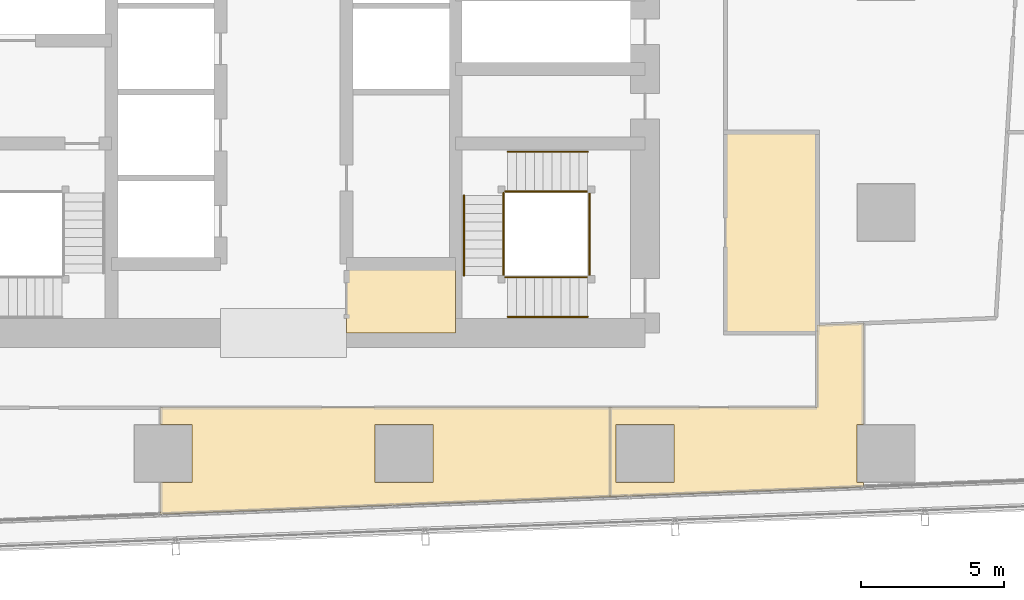
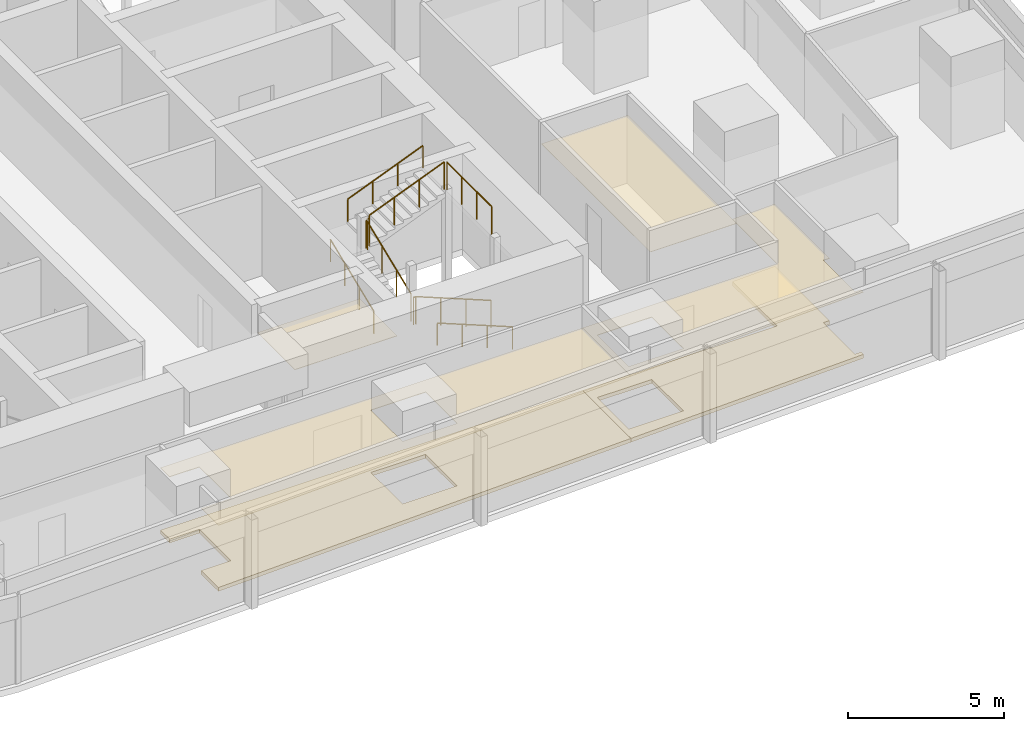
# One storey, part 36 of 39: 10 railings, 6 coverings.
"""IFC4 building model written with IfcOpenShell, lengths in metres."""

from ifc_helpers import new_model, si_unit, direction, frame, origin, origin_2d, place, context, subcontext, project, spatial, polyline, circle, outline, extrude, material, layer, layer_set, type_object, element, save


model = new_model("IFC4")

# Units and contexts
model_context = context("Model", 3, precision=1e-05, world=origin(), true_north=direction((0.0, 1.0)))
body_context = subcontext(model_context, "Body", "Model", "MODEL_VIEW")
ifc_project = project(units=[si_unit("LENGTHUNIT", "METRE"), si_unit("AREAUNIT", "SQUARE_METRE"), si_unit("VOLUMEUNIT", "CUBIC_METRE"), si_unit("PLANEANGLEUNIT", "RADIAN"), si_unit("MASSUNIT", "GRAM", prefix="KILO")], contexts=[model_context])

# Site, building, storey
site_placement = place(None, origin())
site = spatial("IfcSite", under=ifc_project, at=site_placement, CompositionType="ELEMENT")
building_placement = place(site_placement, origin())
building = spatial("IfcBuilding", under=site, at=building_placement, Name="Rekha Terrace Tower", CompositionType="ELEMENT")
storey_placement = place(building_placement, frame((0.0, 0.0, 147.800048828125)))
storey = spatial("IfcBuildingStorey", under=building, at=storey_placement, Name="L37", CompositionType="ELEMENT", Elevation=147.800048828125)

# Coverings
ifc_material_1 = material(Name="Mineral fibre tile in exposed grid", Category="finish")
ifc_layer_1 = layer(ifc_material_1, 0.02001953125)
ifc_layer_set_1 = layer_set([ifc_layer_1], Name="Mineral fibre tile in exposed grid")
covering_type_1 = type_object("IfcCoveringType", Name="CL1 600x1200 office grid ceiling", PredefinedType="CEILING", material=ifc_layer_set_1)
covering_1_placement = place(storey_placement, frame((0.0, 0.0, 2.579833984375)))
element("IfcCovering", 1, at=covering_1_placement, inside=storey, type_object=covering_type_1, Name="Ceiling L37-02", PredefinedType="CEILING", context=body_context, shape_type="SweptSolid", body=[
    extrude(outline(polyline([(58.010009765625, 17.81494140625), (58.010009765625, 21.3369140625), (56.39990234375, 21.27490234375), (56.39990234375, 18.39990234375), (49.179931640625, 18.39990234375), (49.179931640625, 15.2900390625), (58.010009765625, 15.633056640625), (58.010009765625, 15.784912109375), (57.784912109375, 15.784912109375), (57.784912109375, 17.81494140625), (58.010009765625, 17.81494140625)]), holes=[polyline([(51.4150390625, 15.784912109375), (49.385009765625, 15.784912109375), (49.385009765625, 17.81494140625), (51.4150390625, 17.81494140625), (51.4150390625, 15.784912109375)])]), origin(), (0.0, 0.0, 1.0), 0.02001953125),
])
covering_2_placement = place(storey_placement, frame((0.0, 0.0, 2.579833984375)))
element("IfcCovering", 2, at=covering_2_placement, inside=storey, type_object=covering_type_1, Name="Ceiling L37-20", PredefinedType="CEILING", context=body_context, shape_type="SweptSolid", body=[
    extrude(outline(polyline([(33.512939453125, 14.679931640625), (41.678955078125, 14.998046875), (49.178955078125, 15.2890625), (49.178955078125, 18.39990234375), (33.512939453125, 18.39990234375), (33.512939453125, 17.81494140625), (34.614990234375, 17.81494140625), (34.614990234375, 15.784912109375), (33.512939453125, 15.784912109375), (33.512939453125, 14.679931640625)]), holes=[polyline([(43.014892578125, 17.81494140625), (43.014892578125, 15.784912109375), (40.985107421875, 15.784912109375), (40.985107421875, 17.81494140625), (43.014892578125, 17.81494140625)])]), origin(), (0.0, 0.0, 1.0), 0.02001953125),
])
ifc_material_2 = material(Name="Fibre cement board", Category="finish")
ifc_layer_2 = layer(ifc_material_2, 0.014892578125)
ifc_layer_set_2 = layer_set([ifc_layer_2], Name="Fibre cement board")
covering_type_2 = type_object("IfcCoveringType", Name="CL2 moisture-resistant board ceiling", PredefinedType="CEILING", material=ifc_layer_set_2)
covering_3_placement = place(storey_placement, frame((0.0, 0.0, 2.5849609375)))
element("IfcCovering", 3, at=covering_3_placement, inside=storey, type_object=covering_type_2, Name="Ceiling L37-WCA", PredefinedType="CEILING", context=body_context, shape_type="SweptSolid", body=[
    extrude(outline(polyline([(43.800048828125, 23.39990234375), (40.0, 23.39990234375), (40.0, 21.0), (43.800048828125, 21.0), (43.800048828125, 23.39990234375)])), origin(), (0.0, 0.0, 1.0), 0.014892578125),
])
covering_4_placement = place(storey_placement, frame((0.0, 0.0, 2.5849609375)))
element("IfcCovering", 4, at=covering_4_placement, inside=storey, type_object=covering_type_2, Name="Ceiling L37-WCM2", PredefinedType="CEILING", context=body_context, shape_type="SweptSolid", body=[
    extrude(outline(polyline([(56.39990234375, 28.0), (53.199951171875, 28.0), (53.199951171875, 21.0), (56.39990234375, 21.0), (56.39990234375, 28.0)])), origin(), (0.0, 0.0, 1.0), 0.014892578125),
])

# Railings
ifc_material_3 = material(Name="Stainless steel balustrade", Category="steel")
railing_type_1 = type_object("IfcRailingType", Name="GR1 1100 stair guard", PredefinedType="GUARDRAIL", material=ifc_material_3)
railing_1_placement = place(storey_placement, frame((48.39990234375, 22.93994140625, 0.125)))
element("IfcRailing", 5, at=railing_1_placement, inside=storey, type_object=railing_type_1, Name="Guard ST3 L37 flight 1", PredefinedType="GUARDRAIL", context=body_context, shape_type="SweptSolid", body=[
    extrude(circle(Radius=0.02392578125, at=origin_2d()), frame((0.0, 0.0, 1.076171875), z_axis=(-0.927431937212, 0.0, 0.373991980981), x_axis=(0.0, -1.0, 0.0)), (0.0, 0.0, 1.0), 3.008056640625),
    extrude(circle(Radius=0.02099609375, at=origin_2d()), origin(), (0.0, 0.0, 1.0), 1.052001953125),
    extrude(circle(Radius=0.02099609375, at=origin_2d()), frame((-0.929931640625, 0.0, 0.375)), (0.0, 0.0, 1.0), 1.052001953125),
    extrude(circle(Radius=0.02099609375, at=origin_2d()), frame((-1.85986328125, 0.0, 0.75)), (0.0, 0.0, 1.0), 1.052001953125),
    extrude(circle(Radius=0.02099609375, at=origin_2d()), frame((-2.789794921875, 0.0, 1.125)), (0.0, 0.0, 1.0), 1.052001953125),
])
railing_2_placement = place(storey_placement, frame((45.465087890625, 23.0, 1.375)))
element("IfcRailing", 6, at=railing_2_placement, inside=storey, type_object=railing_type_1, Name="Guard ST3 L37 flight 2", PredefinedType="GUARDRAIL", context=body_context, shape_type="SweptSolid", body=[
    extrude(circle(Radius=0.02392578125, at=origin_2d()), frame((0.0, 0.0, 1.076171875), z_axis=(0.0, 0.927443287984, 0.373963831907), x_axis=(-1.0, 0.0, 0.0)), (0.0, 0.0, 1.0), 3.00830078125),
    extrude(circle(Radius=0.02099609375, at=origin_2d()), origin(), (0.0, 0.0, 1.0), 1.052001953125),
    extrude(circle(Radius=0.02099609375, at=origin_2d()), frame((0.0, 0.929931640625, 0.375)), (0.0, 0.0, 1.0), 1.052001953125),
    extrude(circle(Radius=0.02099609375, at=origin_2d()), frame((0.0, 1.860107421875, 0.75)), (0.0, 0.0, 1.0), 1.052001953125),
    extrude(circle(Radius=0.02099609375, at=origin_2d()), frame((0.0, 2.7900390625, 1.125)), (0.0, 0.0, 1.0), 1.052001953125),
])
railing_3_placement = place(storey_placement, frame((45.610107421875, 25.93505859375, 2.625)))
element("IfcRailing", 7, at=railing_3_placement, inside=storey, type_object=railing_type_1, Name="Guard ST3 L37 flight 3", PredefinedType="GUARDRAIL", context=body_context, shape_type="SweptSolid", body=[
    extrude(circle(Radius=0.02392578125, at=origin_2d()), frame((0.0, 0.0, 1.076171875), z_axis=(0.927431937212, 0.0, 0.373991980981), x_axis=(0.0, 1.0, 0.0)), (0.0, 0.0, 1.0), 3.008056640625),
    extrude(circle(Radius=0.02099609375, at=origin_2d()), origin(), (0.0, 0.0, 1.0), 1.052001953125),
    extrude(circle(Radius=0.02099609375, at=origin_2d()), frame((0.929931640625, 0.0, 0.375)), (0.0, 0.0, 1.0), 1.052001953125),
    extrude(circle(Radius=0.02099609375, at=origin_2d()), frame((1.85986328125, 0.0, 0.75)), (0.0, 0.0, 1.0), 1.052001953125),
    extrude(circle(Radius=0.02099609375, at=origin_2d()), frame((2.789794921875, 0.0, 1.125)), (0.0, 0.0, 1.0), 1.052001953125),
])
railing_4_placement = place(storey_placement, frame((45.610107421875, 22.93994140625, 1.25)))
element("IfcRailing", 8, at=railing_4_placement, inside=storey, type_object=railing_type_1, Name="Guard ST3 L37 landing 1", PredefinedType="GUARDRAIL", context=body_context, shape_type="SweptSolid", body=[
    extrude(circle(Radius=0.02392578125, at=origin_2d()), frame((0.0, 0.0, 1.076171875), z_axis=(-1.0, 0.0, 0.0), x_axis=(0.0, -1.0, 0.0)), (0.0, 0.0, 1.0), 0.085205078125),
    extrude(circle(Radius=0.02099609375, at=origin_2d()), origin(), (0.0, 0.0, 1.0), 1.052001953125),
    extrude(circle(Radius=0.02099609375, at=origin_2d()), frame((-0.085205078125, 0.0, 0.0)), (0.0, 0.0, 1.0), 1.052001953125),
])
railing_5_placement = place(storey_placement, frame((45.465087890625, 25.7900390625, 2.5)))
element("IfcRailing", 9, at=railing_5_placement, inside=storey, type_object=railing_type_1, Name="Guard ST3 L37 landing 2", PredefinedType="GUARDRAIL", context=body_context, shape_type="SweptSolid", body=[
    extrude(circle(Radius=0.02392578125, at=origin_2d()), frame((0.0, 0.0, 1.076171875), z_axis=(0.0, 1.0, 0.0), x_axis=(-1.0, 0.0, 0.0)), (0.0, 0.0, 1.0), 0.0849609375),
    extrude(circle(Radius=0.02099609375, at=origin_2d()), origin(), (0.0, 0.0, 1.0), 1.052001953125),
    extrude(circle(Radius=0.02099609375, at=origin_2d()), frame((0.0, 0.0849609375, 0.0)), (0.0, 0.0, 1.0), 1.052001953125),
])
railing_6_placement = place(storey_placement, frame((45.610107421875, 25.93505859375, 2.5)))
element("IfcRailing", 10, at=railing_6_placement, inside=storey, type_object=railing_type_1, Name="Guard ST3 L37 landing 3", PredefinedType="GUARDRAIL", context=body_context, shape_type="SweptSolid", body=[
    extrude(circle(Radius=0.02392578125, at=origin_2d()), frame((0.0, 0.0, 1.076171875), z_axis=(-1.0, 0.0, 0.0), x_axis=(0.0, -1.0, 0.0)), (0.0, 0.0, 1.0), 0.085205078125),
    extrude(circle(Radius=0.02099609375, at=origin_2d()), origin(), (0.0, 0.0, 1.0), 1.052001953125),
    extrude(circle(Radius=0.02099609375, at=origin_2d()), frame((-0.085205078125, 0.0, 0.0)), (0.0, 0.0, 1.0), 1.052001953125),
])
railing_7_placement = place(storey_placement, frame((48.4599609375, 23.0, 3.75)))
element("IfcRailing", 11, at=railing_7_placement, inside=storey, type_object=railing_type_1, Name="Guard ST3 L37 landing 4", PredefinedType="GUARDRAIL", context=body_context, shape_type="SweptSolid", body=[
    extrude(circle(Radius=0.02392578125, at=origin_2d()), frame((0.0, 0.0, 1.076171875), z_axis=(0.0, 1.0, 0.0), x_axis=(-1.0, 0.0, 0.0)), (0.0, 0.0, 1.0), 2.875),
    extrude(circle(Radius=0.02099609375, at=origin_2d()), origin(), (0.0, 0.0, 1.0), 1.052001953125),
    extrude(circle(Radius=0.02099609375, at=origin_2d()), frame((0.0, 0.958251953125, 0.0)), (0.0, 0.0, 1.0), 1.052001953125),
    extrude(circle(Radius=0.02099609375, at=origin_2d()), frame((0.0, 1.916748046875, 0.0)), (0.0, 0.0, 1.0), 1.052001953125),
    extrude(circle(Radius=0.02099609375, at=origin_2d()), frame((0.0, 2.875, 0.0)), (0.0, 0.0, 1.0), 1.052001953125),
])
ifc_material_4 = material(Name="Stainless steel tube", Category="steel")
railing_type_2 = type_object("IfcRailingType", Name="HR1 900 stair handrail", PredefinedType="HANDRAIL", material=ifc_material_4)
railing_8_placement = place(storey_placement, frame((48.39990234375, 21.56005859375, 0.125)))
element("IfcRailing", 12, at=railing_8_placement, inside=storey, type_object=railing_type_2, Name="Handrail ST3 L37 flight 1", PredefinedType="HANDRAIL", context=body_context, shape_type="SweptSolid", body=[
    extrude(circle(Radius=0.02392578125, at=origin_2d()), frame((0.0, 0.0, 0.8759765625), z_axis=(-0.927431937212, 0.0, 0.373991980981), x_axis=(0.0, -1.0, 0.0)), (0.0, 0.0, 1.0), 3.008056640625),
    extrude(circle(Radius=0.02099609375, at=origin_2d()), origin(), (0.0, 0.0, 1.0), 0.851806640625),
    extrude(circle(Radius=0.02099609375, at=origin_2d()), frame((-0.929931640625, 0.0, 0.375)), (0.0, 0.0, 1.0), 0.851806640625),
    extrude(circle(Radius=0.02099609375, at=origin_2d()), frame((-1.85986328125, 0.0, 0.75)), (0.0, 0.0, 1.0), 0.851806640625),
    extrude(circle(Radius=0.02099609375, at=origin_2d()), frame((-2.789794921875, 0.0, 1.125)), (0.0, 0.0, 1.0), 0.851806640625),
])
railing_9_placement = place(storey_placement, frame((44.0849609375, 23.0, 1.375)))
element("IfcRailing", 13, at=railing_9_placement, inside=storey, type_object=railing_type_2, Name="Handrail ST3 L37 flight 2", PredefinedType="HANDRAIL", context=body_context, shape_type="SweptSolid", body=[
    extrude(circle(Radius=0.02392578125, at=origin_2d()), frame((0.0, 0.0, 0.8759765625), z_axis=(0.0, 0.927443287984, 0.373963831907), x_axis=(-1.0, 0.0, 0.0)), (0.0, 0.0, 1.0), 3.00830078125),
    extrude(circle(Radius=0.02099609375, at=origin_2d()), origin(), (0.0, 0.0, 1.0), 0.851806640625),
    extrude(circle(Radius=0.02099609375, at=origin_2d()), frame((0.0, 0.929931640625, 0.375)), (0.0, 0.0, 1.0), 0.851806640625),
    extrude(circle(Radius=0.02099609375, at=origin_2d()), frame((0.0, 1.860107421875, 0.75)), (0.0, 0.0, 1.0), 0.851806640625),
    extrude(circle(Radius=0.02099609375, at=origin_2d()), frame((0.0, 2.7900390625, 1.125)), (0.0, 0.0, 1.0), 0.851806640625),
])
railing_10_placement = place(storey_placement, frame((45.610107421875, 27.31494140625, 2.625)))
element("IfcRailing", 14, at=railing_10_placement, inside=storey, type_object=railing_type_2, Name="Handrail ST3 L37 flight 3", PredefinedType="HANDRAIL", context=body_context, shape_type="SweptSolid", body=[
    extrude(circle(Radius=0.02392578125, at=origin_2d()), frame((0.0, 0.0, 0.8759765625), z_axis=(0.927431937212, 0.0, 0.373991980981), x_axis=(0.0, 1.0, 0.0)), (0.0, 0.0, 1.0), 3.008056640625),
    extrude(circle(Radius=0.02099609375, at=origin_2d()), origin(), (0.0, 0.0, 1.0), 0.851806640625),
    extrude(circle(Radius=0.02099609375, at=origin_2d()), frame((0.929931640625, 0.0, 0.375)), (0.0, 0.0, 1.0), 0.851806640625),
    extrude(circle(Radius=0.02099609375, at=origin_2d()), frame((1.85986328125, 0.0, 0.75)), (0.0, 0.0, 1.0), 0.851806640625),
    extrude(circle(Radius=0.02099609375, at=origin_2d()), frame((2.789794921875, 0.0, 1.125)), (0.0, 0.0, 1.0), 0.851806640625),
])

# Coverings
ifc_material_5 = material(Name="Calcium sulphate panels on steel pedestals", Category="steel")
ifc_layer_3 = layer(ifc_material_5, 0.14990234375)
ifc_layer_set_3 = layer_set([ifc_layer_3], Name="Calcium sulphate panels on steel pedestals")
covering_type_3 = type_object("IfcCoveringType", Name="RF1 150 raised access floor", PredefinedType="FLOORING", material=ifc_layer_set_3)
covering_5_placement = place(storey_placement, origin())
element("IfcCovering", 15, at=covering_5_placement, inside=storey, type_object=covering_type_3, Name="Raised floor L37-02", PredefinedType="FLOORING", context=body_context, shape_type="SweptSolid", body=[
    extrude(outline(polyline([(58.010009765625, 17.81494140625), (58.010009765625, 21.3369140625), (56.39990234375, 21.27490234375), (56.39990234375, 18.39990234375), (49.179931640625, 18.39990234375), (49.179931640625, 15.2900390625), (58.010009765625, 15.633056640625), (58.010009765625, 15.784912109375), (57.784912109375, 15.784912109375), (57.784912109375, 17.81494140625), (58.010009765625, 17.81494140625)]), holes=[polyline([(51.4150390625, 15.784912109375), (49.385009765625, 15.784912109375), (49.385009765625, 17.81494140625), (51.4150390625, 17.81494140625), (51.4150390625, 15.784912109375)])]), origin(), (0.0, 0.0, 1.0), 0.14990234375),
])
covering_6_placement = place(storey_placement, origin())
element("IfcCovering", 16, at=covering_6_placement, inside=storey, type_object=covering_type_3, Name="Raised floor L37-20", PredefinedType="FLOORING", context=body_context, shape_type="SweptSolid", body=[
    extrude(outline(polyline([(33.512939453125, 14.679931640625), (41.678955078125, 14.998046875), (49.178955078125, 15.2890625), (49.178955078125, 18.39990234375), (33.512939453125, 18.39990234375), (33.512939453125, 17.81494140625), (34.614990234375, 17.81494140625), (34.614990234375, 15.784912109375), (33.512939453125, 15.784912109375), (33.512939453125, 14.679931640625)]), holes=[polyline([(43.014892578125, 17.81494140625), (43.014892578125, 15.784912109375), (40.985107421875, 15.784912109375), (40.985107421875, 17.81494140625), (43.014892578125, 17.81494140625)])]), origin(), (0.0, 0.0, 1.0), 0.14990234375),
])

save(model, "model.ifc")
